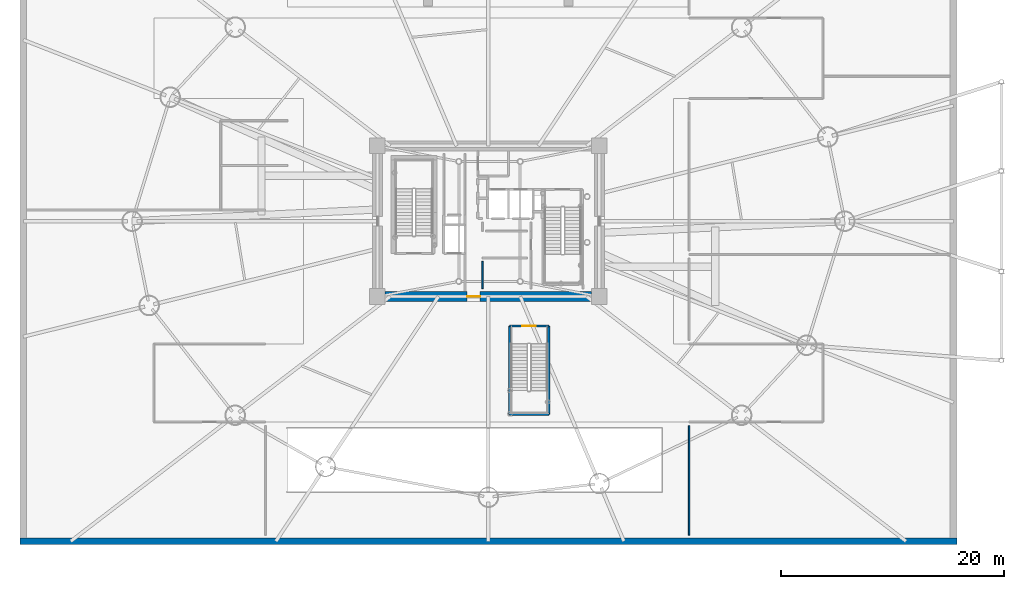
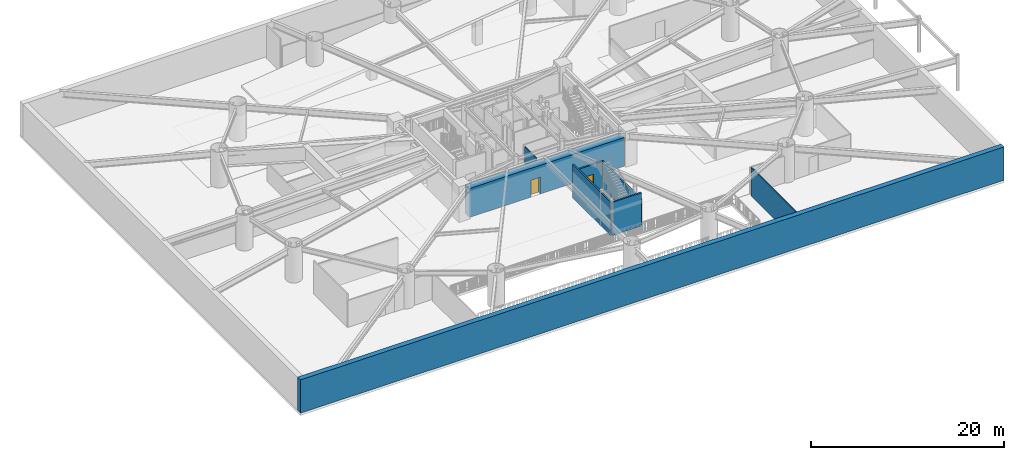
# One storey, part 9 of 21: 8 walls, 2 doors, 2 openings.
"""IFC4 building model written with IfcOpenShell, lengths in metres."""

from ifc_helpers import new_model, si_unit, direction, frame, frame_2d, origin, origin_2d, place, context, subcontext, project, spatial, rectangle, extrude, source, transform, mapped, material, layer, layer_set, type_object, element, fill, save


model = new_model("IFC4")

# Units and contexts
model_context = context("Model", 3, precision=1e-05, world=origin(), true_north=direction((0.0, 1.0)))
body_context = subcontext(model_context, "Body", "Model", "MODEL_VIEW")
ifc_project = project(units=[si_unit("LENGTHUNIT", "METRE"), si_unit("AREAUNIT", "SQUARE_METRE"), si_unit("VOLUMEUNIT", "CUBIC_METRE"), si_unit("PLANEANGLEUNIT", "RADIAN"), si_unit("MASSUNIT", "GRAM", prefix="KILO")], contexts=[model_context])

# Site, building, storey
site_placement = place(None, origin())
site = spatial("IfcSite", under=ifc_project, at=site_placement, CompositionType="ELEMENT")
building_placement = place(site_placement, origin())
building = spatial("IfcBuilding", under=site, at=building_placement, Name="Linh Dai School and Residence Tower", CompositionType="ELEMENT")
storey_placement = place(building_placement, frame((0.0, 0.0, -4.5)))
storey = spatial("IfcBuildingStorey", under=building, at=storey_placement, Name="B01", CompositionType="ELEMENT", Elevation=-4.5)

# Walls
ifc_material_1 = material(Name="Autoclaved Aerated Concrete Blockwork", Category="masonry")
ifc_layer_1 = layer(ifc_material_1, 0.135009765625)
ifc_layer_set_1 = layer_set([ifc_layer_1], Name="Autoclaved Aerated Concrete Blockwork")
wall_type_1 = type_object("IfcWallType", Name="IW-CORR-135-EI90", PredefinedType="PARTITIONING", material=ifc_layer_set_1)
wall_1_placement = place(storey_placement, frame((35.449951171875, 23.392578125, 0.0), z_axis=(0.0, 0.0, 1.0), x_axis=(0.0, -1.0, 0.0)))
element("IfcWall", 1, at=wall_1_placement, inside=storey, type_object=wall_type_1, Name="B01 Interior Partition Wall 056", PredefinedType="PARTITIONING", context=body_context, shape_type="SweptSolid", body=[
    extrude(rectangle(XDim=2.4326171875, YDim=0.135009765625, at=frame_2d((1.21630859375, 0.0))), origin(), (0.0, 0.0, 1.0), 3.784912109375),
])
wall_2_placement = place(storey_placement, frame((54.0, -1.139892578125, 0.0), z_axis=(0.0, 0.0, 1.0), x_axis=(0.0, 1.0, 0.0)))
element("IfcWall", 2, at=wall_2_placement, inside=storey, type_object=wall_type_1, Name="B01 Interior Partition Wall 059", PredefinedType="PARTITIONING", context=body_context, shape_type="SweptSolid", body=[
    extrude(rectangle(XDim=9.8125, YDim=0.135009765625, at=frame_2d((4.90625, 0.0))), origin(), (0.0, 0.0, 1.0), 3.5849609375),
])
ifc_material_2 = material(Name="Concrete B45 (C35/45)", Category="concrete")
ifc_layer_2 = layer(ifc_material_2, 0.199951171875)
ifc_layer_set_2 = layer_set([ifc_layer_2], Name="Concrete B45 (C35/45)")
wall_type_2 = type_object("IfcWallType", Name="IW-SHAFT-200-EI120", PredefinedType="PARTITIONING", material=ifc_layer_set_2)
wall_3_placement = place(storey_placement, frame((37.8798828125, 9.679931640625, 0.0), z_axis=(0.0, 0.0, 1.0), x_axis=(0.0, 1.0, 0.0)))
element("IfcWall", 3, at=wall_3_placement, inside=storey, type_object=wall_type_2, Name="B01 Interior Partition Wall 025", PredefinedType="PARTITIONING", context=body_context, shape_type="SweptSolid", body=[
    extrude(rectangle(XDim=7.920166015625, YDim=0.199951171875, at=frame_2d((3.9599609375, 0.0))), origin(), (0.0, 0.0, 1.0), 4.199951171875),
])
wall_4_placement = place(storey_placement, frame((37.8798828125, 9.679931640625, 0.0), z_axis=(0.0, 0.0, 1.0), x_axis=(1.0, 0.0, 0.0)))
element("IfcWall", 4, at=wall_4_placement, inside=storey, type_object=wall_type_2, Name="B01 Interior Partition Wall 026", PredefinedType="PARTITIONING", context=body_context, shape_type="SweptSolid", body=[
    extrude(rectangle(XDim=3.5400390625, YDim=0.199951171875, at=frame_2d((1.77001953125, 0.0))), origin(), (0.0, 0.0, 1.0), 4.199951171875),
])

# Wall, opening, door
wall_5_placement = place(storey_placement, frame((37.8798828125, 17.60009765625, 0.0), z_axis=(0.0, 0.0, 1.0), x_axis=(1.0, 0.0, 0.0)))
wall_5 = element("IfcWall", 5, at=wall_5_placement, inside=storey, type_object=wall_type_2, Name="B01 Interior Partition Wall 027", PredefinedType="PARTITIONING", context=body_context, shape_type="SweptSolid", body=[
    extrude(rectangle(XDim=3.5400390625, YDim=0.199951171875, at=frame_2d((1.77001953125, 0.0))), origin(), (0.0, 0.0, 1.0), 3.385009765625),
])
opening_1_placement = place(wall_5_placement, frame((1.169921875, 0.0, 0.0)))
opening_1 = element("IfcOpeningElement", 6, at=opening_1_placement, cuts=wall_5, Name="Opening D01", PredefinedType="OPENING", context=body_context, shape_type="SweptSolid", body=[
    extrude(rectangle(XDim=1.199951171875, YDim=2.14990234375, at=origin_2d()), frame((0.60009765625, 0.10986328125, 1.074951171875), z_axis=(0.0, -1.0, 0.0), x_axis=(1.0, 0.0, 0.0)), (0.0, 0.0, 1.0), 0.219970703125),
])
ifc_material_3 = material(Name="Fire-Rated Steel Door Leaf", Category="steel")
door_type_1 = type_object("IfcDoorType", Name="DR-STAIR-1200x2150-FD90S", OperationType="NOTDEFINED", PredefinedType="DOOR", material=ifc_material_3)
shared_shape_1 = source(origin(), body_context, "Body", "SweptSolid", [
    extrude(rectangle(XDim=1.199951171875, YDim=2.14990234375, at=origin_2d()), frame((0.60009765625, 0.02490234375, 1.074951171875), z_axis=(0.0, -1.0, 0.0), x_axis=(1.0, 0.0, 0.0)), (0.0, 0.0, 1.0), 0.050048828125),
])
door_1_placement = place(opening_1_placement, origin())
door_1 = element("IfcDoor", 7, at=door_1_placement, inside=storey, type_object=door_type_1, Name="B01 Exit Stair STB1 Door", OperationType="SINGLE_SWING_RIGHT", OverallHeight=2.14990234375, OverallWidth=1.199951171875, PredefinedType="DOOR", context=body_context, shape_type="MappedRepresentation", body=[
    mapped(shared_shape_1, transform((0.0, 0.0, 0.0), x_axis=(1.0, 0.0, 0.0), y_axis=(0.0, 1.0, 0.0), z_axis=(0.0, 0.0, 1.0), scale=1.0)),
])
fill(opening_1, door_1)

# Wall
wall_6_placement = place(storey_placement, frame((41.419921875, 9.679931640625, 0.0), z_axis=(0.0, 0.0, 1.0), x_axis=(0.0, 1.0, 0.0)))
element("IfcWall", 8, at=wall_6_placement, inside=storey, type_object=wall_type_2, Name="B01 Interior Partition Wall 034", PredefinedType="PARTITIONING", context=body_context, shape_type="SweptSolid", body=[
    extrude(rectangle(XDim=7.920166015625, YDim=0.199951171875, at=frame_2d((3.9599609375, 0.0))), origin(), (0.0, 0.0, 1.0), 3.385009765625),
])

# Wall, opening, door
ifc_material_4 = material(Name="Concrete B60 (C50/60)", Category="concrete")
ifc_layer_3 = layer(ifc_material_4, 0.89990234375)
ifc_layer_set_3 = layer_set([ifc_layer_3], Name="Concrete B60 (C50/60)")
wall_type_3 = type_object("IfcWallType", Name="WL-CORE900", PredefinedType="SHEAR", material=ifc_layer_set_3)
wall_7_placement = place(storey_placement, frame((45.25, 20.25, 0.0), z_axis=(0.0, 0.0, 1.0), x_axis=(-1.0, 0.0, 0.0)))
wall_7 = element("IfcWall", 9, at=wall_7_placement, inside=storey, type_object=wall_type_3, Name="B01 Central Core Shear Wall S", PredefinedType="SHEAR", context=body_context, shape_type="SweptSolid", body=[
    extrude(rectangle(XDim=18.5, YDim=0.89990234375, at=frame_2d((9.25, 0.0))), origin(), (0.0, 0.0, 1.0), 3.64990234375),
])
opening_2_placement = place(wall_7_placement, frame((10.0, 0.0, 0.0)))
opening_2 = element("IfcOpeningElement", 10, at=opening_2_placement, cuts=wall_7, Name="Opening D02", PredefinedType="OPENING", context=body_context, shape_type="SweptSolid", body=[
    extrude(rectangle(XDim=1.14990234375, YDim=2.14990234375, at=origin_2d()), frame((0.574951171875, 0.4599609375, 1.074951171875), z_axis=(0.0, -1.0, 0.0), x_axis=(1.0, 0.0, 0.0)), (0.0, 0.0, 1.0), 0.919921875),
])
ifc_material_5 = material(Name="Fire-Rated Glazed Steel Lobby Door", Category="steel")
door_type_2 = type_object("IfcDoorType", Name="DR-LOBBY-1150x2150-FD90S", OperationType="NOTDEFINED", PredefinedType="DOOR", material=ifc_material_5)
shared_shape_2 = source(origin(), body_context, "Body", "SweptSolid", [
    extrude(rectangle(XDim=1.14990234375, YDim=2.14990234375, at=origin_2d()), frame((0.574951171875, 0.02490234375, 1.074951171875), z_axis=(0.0, -1.0, 0.0), x_axis=(1.0, 0.0, 0.0)), (0.0, 0.0, 1.0), 0.050048828125),
])
door_2_placement = place(opening_2_placement, origin())
door_2 = element("IfcDoor", 11, at=door_2_placement, inside=storey, type_object=door_type_2, Name="B01 Passenger Foyer Access Door", OperationType="SINGLE_SWING_LEFT", OverallHeight=2.14990234375, OverallWidth=1.14990234375, PredefinedType="DOOR", context=body_context, shape_type="MappedRepresentation", body=[
    mapped(shared_shape_2, transform((0.0, 0.0, 0.0), x_axis=(1.0, 0.0, 0.0), y_axis=(0.0, 1.0, 0.0), z_axis=(0.0, 0.0, 1.0), scale=1.0)),
])
fill(opening_2, door_2)

# Wall
ifc_layer_4 = layer(ifc_material_2, 0.60009765625)
ifc_layer_set_4 = layer_set([ifc_layer_4], Name="Concrete B45 (C35/45)")
wall_type_4 = type_object("IfcWallType", Name="WL-RET600", PredefinedType="SHEAR", material=ifc_layer_set_4)
wall_8_placement = place(storey_placement, frame((78.0, -1.699951171875, 0.0), z_axis=(0.0, 0.0, 1.0), x_axis=(-1.0, 0.0, 0.0)))
element("IfcWall", 12, at=wall_8_placement, inside=storey, type_object=wall_type_4, Name="B01 Basement Perimeter Retaining Wall S", PredefinedType="SHEAR", context=body_context, shape_type="SweptSolid", body=[
    extrude(rectangle(XDim=84.0, YDim=0.60009765625, at=frame_2d((42.0, 0.0))), origin(), (0.0, 0.0, 1.0), 4.199951171875),
])

save(model, "model.ifc")
